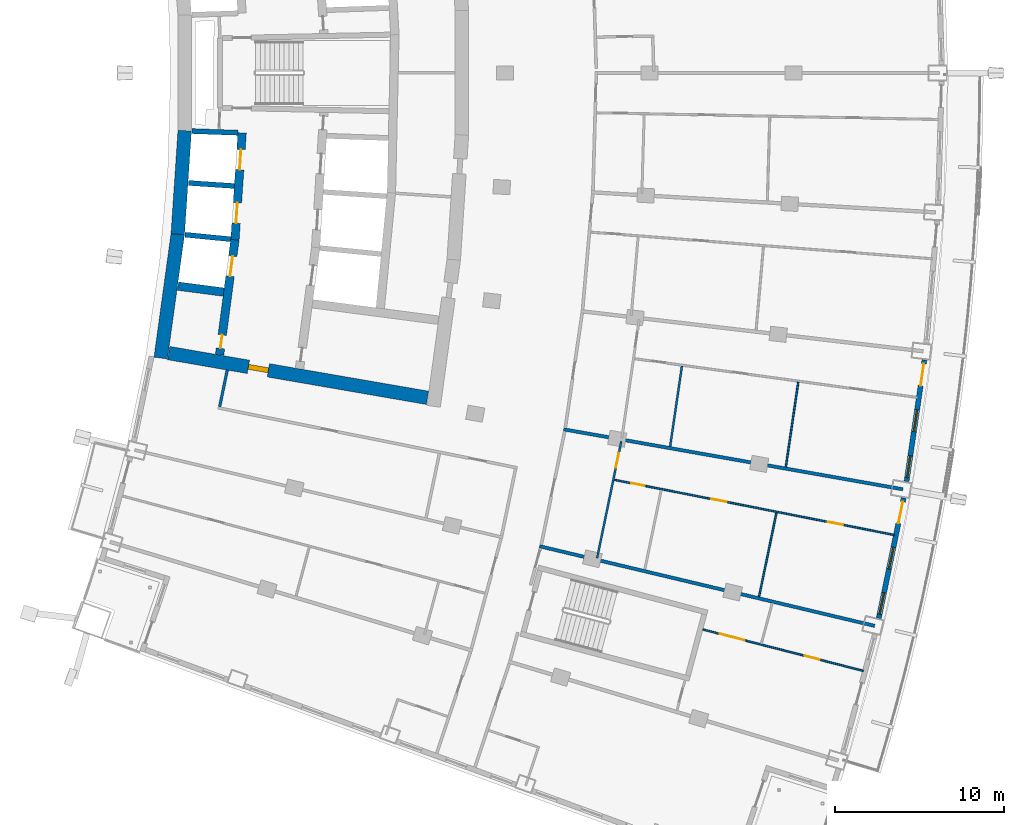
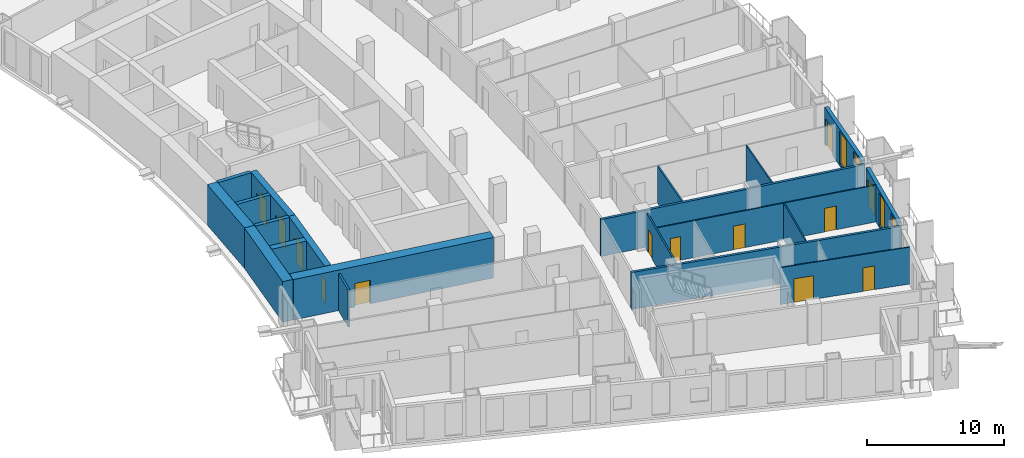
# One storey, part 12 of 23: 20 walls, 13 doors, 4 windows, 17 openings.
"""IFC4 building model written with IfcOpenShell, lengths in metres."""

import ifcopenshell
import ifcopenshell.guid

model = None  # the IFC model being written
_history = None  # IfcOwnerHistory: only IFC2X3 demands one
_inside = {}  # id of a spatial element -> (the spatial element, [elements in it])
_under = {}  # id of a project, library or spatial element -> (it, [spatial elements below it])
_declared = {}  # id of a project -> (the project, [libraries it declares])
_typed = {}  # id of a type object -> (the type object, [elements of that type])
_made_of = {}  # id of a material, layer set ... -> (it, [elements and type objects made of it])


def new_model(schema):
    """Start an empty IFC model of exactly this schema.

    Asked for "IFC4X3", IfcOpenShell would pick the latest addendum, in which some entities
    have other attributes; the version numbers below select the first issue.
    IFC2X3 requires an IfcOwnerHistory on every rooted entity: one is made here for all.
    """
    global model, _history
    if schema == "IFC4X3":
        model = ifcopenshell.file(schema_version=(4, 3, 0, 0))
    else:
        model = ifcopenshell.file(schema=schema)
    _inside.clear()
    _under.clear()
    _declared.clear()
    _typed.clear()
    _made_of.clear()
    _history = None
    if model.schema == "IFC2X3":
        org = make("IfcOrganization", Name="unknown")
        user = make(
            "IfcPersonAndOrganization",
            ThePerson=make("IfcPerson", FamilyName="unknown"),
            TheOrganization=org,
        )
        app = make(
            "IfcApplication",
            ApplicationDeveloper=org,
            Version="unknown",
            ApplicationFullName="unknown",
            ApplicationIdentifier="unknown",
        )
        _history = make(
            "IfcOwnerHistory",
            OwningUser=user,
            OwningApplication=app,
            ChangeAction="ADDED",
            CreationDate=0,
        )
    return model


def make(cls, **values):
    """One entity of the class cls with the attributes given. An attribute that is None is left unset."""
    return model.create_entity(
        cls, **{name: value for name, value in values.items() if value is not None}
    )


def rooted(cls, **values):
    """An entity with a GlobalId (a new one), such as an element, a storey or a relation."""
    return make(cls, GlobalId=ifcopenshell.guid.new(), OwnerHistory=_history, **values)


def si_unit(unit_type, name, prefix=None):
    """IfcSIUnit, for example si_unit("LENGTHUNIT", "METRE", prefix="MILLI")."""
    return make("IfcSIUnit", UnitType=unit_type, Prefix=prefix, Name=name)


def assignment(units):
    """IfcUnitAssignment: the units of a project."""
    return None if units is None else make("IfcUnitAssignment", Units=units)


def point(xyz):
    """IfcCartesianPoint."""
    return None if xyz is None else make("IfcCartesianPoint", Coordinates=xyz)


def direction(xyz):
    """IfcDirection."""
    return None if xyz is None else make("IfcDirection", DirectionRatios=xyz)


def frame(location, z_axis=None, x_axis=None):
    """IfcAxis2Placement3D, a coordinate frame: its origin and axes. An axis left out is left unset."""
    return make(
        "IfcAxis2Placement3D",
        Location=point(location),
        Axis=direction(z_axis),
        RefDirection=direction(x_axis),
    )


def frame_2d(location, x_axis=None):
    """IfcAxis2Placement2D, a coordinate frame in the plane: its origin and x axis."""
    return make(
        "IfcAxis2Placement2D", Location=point(location), RefDirection=direction(x_axis)
    )


def origin():
    """The frame at (0, 0, 0) with its axes left unset."""
    return frame((0.0, 0.0, 0.0))


def place(relative_to, where):
    """IfcLocalPlacement: puts the frame where relative to a parent placement (None: the world)."""
    return make(
        "IfcLocalPlacement", PlacementRelTo=relative_to, RelativePlacement=where
    )


def context(
    kind, dimensions, precision=None, world=None, true_north=None, identifier=None
):
    """IfcGeometricRepresentationContext, for example the 3D "Model" context."""
    return make(
        "IfcGeometricRepresentationContext",
        ContextIdentifier=identifier,
        ContextType=kind,
        CoordinateSpaceDimension=dimensions,
        Precision=precision,
        WorldCoordinateSystem=world,
        TrueNorth=true_north,
    )


def subcontext(parent, identifier, kind, view, scale=None):
    """IfcGeometricRepresentationSubContext, for example "Body" below "Model"."""
    return make(
        "IfcGeometricRepresentationSubContext",
        ContextIdentifier=identifier,
        ContextType=kind,
        ParentContext=parent,
        TargetScale=scale,
        TargetView=view,
    )


def project(units=None, contexts=None):
    """IfcProject with its units and contexts."""
    return rooted(
        "IfcProject",
        Name="project",
        RepresentationContexts=contexts,
        UnitsInContext=assignment(units),
    )


def spatial(cls, under=None, at=None, **own):
    """A site, building, storey or space (cls), placed at a placement, below another one or the project."""
    s = rooted(cls, ObjectPlacement=at, **own)
    if under is not None:
        _under.setdefault(under.id(), (under, []))[1].append(s)
    return s


def profile(cls, at=None, kind="AREA", **sizes):
    """A parametric profile (cls). Its sizes go by their IFC names, for example OverallWidth=200.0."""
    return make(cls, ProfileType=kind, Position=at, **sizes)


def rectangle(**sizes):
    """IfcRectangleProfileDef."""
    return profile("IfcRectangleProfileDef", **sizes)


def extrude(swept, where, along, depth):
    """IfcExtrudedAreaSolid: the profile swept, set in the frame where, extruded along a direction by depth."""
    return make(
        "IfcExtrudedAreaSolid",
        SweptArea=swept,
        Position=where,
        ExtrudedDirection=direction(along),
        Depth=depth,
    )


def shape(context_of_items, identifier, shape_type, items):
    """IfcShapeRepresentation: the items that make up one representation, for example the "Body"."""
    return make(
        "IfcShapeRepresentation",
        ContextOfItems=context_of_items,
        RepresentationIdentifier=identifier,
        RepresentationType=shape_type,
        Items=items,
    )


def material(Name=None, Category=None):
    """IfcMaterial."""
    return make("IfcMaterial", Name=Name, Category=Category)


def layer(
    of_material, thickness, ventilated=None, Name=None, Category=None, Priority=None
):
    """IfcMaterialLayer: one layer of a wall or slab, of a material (None: an air gap)."""
    return make(
        "IfcMaterialLayer",
        Material=of_material,
        LayerThickness=thickness,
        IsVentilated=ventilated,
        Name=Name,
        Category=Category,
        Priority=Priority,
    )


def layer_set(layers, Name=None):
    """IfcMaterialLayerSet."""
    return make("IfcMaterialLayerSet", MaterialLayers=layers, LayerSetName=Name)


def made_of(thing, what):
    """Note that an element or type object is made of a material, layer set ...; save() writes the relation."""
    if what is not None:
        _made_of.setdefault(what.id(), (what, []))[1].append(thing)
    return thing


def type_object(cls, material=None, **own):
    """A type object (cls), such as IfcWallType, which elements share."""
    return made_of(rooted(cls, **own), material)


def element(
    cls,
    number,
    at=None,
    inside=None,
    cuts=None,
    type_object=None,
    material=None,
    context=None,
    identifier="Body",
    shape_type=None,
    held_by="IfcProductDefinitionShape",
    body=None,
    shapes=None,
    **own,
):
    """One element of the class cls, such as IfcWall. Its Tag is "e" and its number.

    at: its placement. inside: the storey or other place that contains it. cuts: it is an
    opening in that element (IfcRelVoidsElement). A single representation is given by context,
    identifier, shape_type and body (its items); several are given by shapes. held_by: the class
    of the entity that holds the representations. save() writes the other relations.
    """
    e = rooted(cls, Tag="e%d" % number, ObjectPlacement=at, **own)
    if body is not None:
        shapes = [shape(context, identifier, shape_type, body)]
    if shapes is not None:
        e.Representation = make(held_by, Representations=shapes)
    if inside is not None:
        _inside.setdefault(inside.id(), (inside, []))[1].append(e)
    if cuts is not None:
        rooted(
            "IfcRelVoidsElement", RelatingBuildingElement=cuts, RelatedOpeningElement=e
        )
    if type_object is not None:
        _typed.setdefault(type_object.id(), (type_object, []))[1].append(e)
    return made_of(e, material)


def fill(opening, filler):
    """IfcRelFillsElement: the door or window that sits in an opening."""
    return rooted(
        "IfcRelFillsElement",
        RelatingOpeningElement=opening,
        RelatedBuildingElement=filler,
    )


def aggregate(whole, parts):
    """IfcRelAggregates: a whole, such as a stair, and the parts it consists of."""
    return rooted("IfcRelAggregates", RelatingObject=whole, RelatedObjects=parts)


def save(model, path):
    """Write the relations noted so far, then the file.

    IfcRelAggregates (storeys below a building ...), IfcRelContainedInSpatialStructure (elements
    in a storey), IfcRelDefinesByType, IfcRelAssociatesMaterial and IfcRelDeclares: one each for
    every whole, place, type object, material and project.
    """
    for whole, parts in _under.values():
        aggregate(whole, parts)
    for where, things in _inside.values():
        rooted(
            "IfcRelContainedInSpatialStructure",
            RelatedElements=things,
            RelatingStructure=where,
        )
    for kind, things in _typed.values():
        rooted("IfcRelDefinesByType", RelatedObjects=things, RelatingType=kind)
    for what, things in _made_of.values():
        rooted("IfcRelAssociatesMaterial", RelatedObjects=things, RelatingMaterial=what)
    for by, libraries in _declared.values():
        rooted("IfcRelDeclares", RelatingContext=by, RelatedDefinitions=libraries)
    model.write(path)


model = new_model("IFC4")

# Units and contexts
model_context = context("Model", 3, precision=1e-05, world=origin(), true_north=direction((0.0, 1.0)))
body_context = subcontext(model_context, "Body", "Model", "MODEL_VIEW")
ifc_project = project(units=[si_unit("LENGTHUNIT", "METRE"), si_unit("AREAUNIT", "SQUARE_METRE"), si_unit("VOLUMEUNIT", "CUBIC_METRE"), si_unit("PLANEANGLEUNIT", "RADIAN"), si_unit("MASSUNIT", "GRAM", prefix="KILO")], contexts=[model_context])

# Site, building, storey
site_placement = place(None, origin())
site = spatial("IfcSite", under=ifc_project, at=site_placement, CompositionType="ELEMENT")
building_placement = place(site_placement, origin())
building = spatial("IfcBuilding", under=site, at=building_placement, Name="Alderwake Tower", CompositionType="ELEMENT")
storey_placement = place(building_placement, frame((0.0, 0.0, 100.39990234375)))
storey = spatial("IfcBuildingStorey", under=building, at=storey_placement, Name="L24", CompositionType="ELEMENT", Elevation=100.39990234375)

# Walls
ifc_material_1 = material(Name="Concrete C70/85", Category="concrete")
ifc_layer_1 = layer(ifc_material_1, 0.800048828125)
ifc_layer_set_1 = layer_set([ifc_layer_1], Name="Core wall outer 800 C70-85")
wall_type_1 = type_object("IfcWallType", Name="Core wall outer 800 C70-85", PredefinedType="SHEAR", material=ifc_layer_set_1)
wall_1_placement = place(storey_placement, frame((15.419921875, 44.12890625, 0.0), z_axis=(0.0, 0.0, 1.0), x_axis=(0.13634256868, 0.990661750531, 0.0)))
element("IfcWall", 1, at=wall_1_placement, inside=storey, type_object=wall_type_1, Name="Core wall CW.042", PredefinedType="SHEAR", context=body_context, shape_type="SweptSolid", body=[
    extrude(rectangle(XDim=7.42578125, YDim=0.800048828125, at=frame_2d((3.712890625, 0.0))), origin(), (0.0, 0.0, 1.0), 3.60009765625),
])
wall_2_placement = place(storey_placement, frame((16.429443359375, 51.45654296875, 0.0), z_axis=(0.0, 0.0, 1.0), x_axis=(0.066885651624, 0.997760647454, 0.0)))
element("IfcWall", 2, at=wall_2_placement, inside=storey, type_object=wall_type_1, Name="Core wall CW.041", PredefinedType="SHEAR", context=body_context, shape_type="SweptSolid", body=[
    extrude(rectangle(XDim=6.14306640625, YDim=0.800048828125, at=frame_2d((3.071533203125, 0.0))), origin(), (0.0, 0.0, 1.0), 3.60009765625),
])

# Wall, opening, door
wall_3_placement = place(storey_placement, frame((31.20458984375, 41.776611328125, 0.0), z_axis=(0.0, 0.0, 1.0), x_axis=(-0.985386537175, 0.170333121719, 0.0)))
wall_3 = element("IfcWall", 3, at=wall_3_placement, inside=storey, type_object=wall_type_1, Name="Core wall CW.071", PredefinedType="SHEAR", context=body_context, shape_type="SweptSolid", body=[
    extrude(rectangle(XDim=15.537109375, YDim=0.800048828125, at=frame_2d((7.7685546875, 0.0))), origin(), (0.0, 0.0, 1.0), 3.60009765625),
])
opening_1_placement = place(wall_3_placement, frame((9.5537109375, 0.0, 0.0)))
opening_1 = element("IfcOpeningElement", 4, at=opening_1_placement, cuts=wall_3, Name="Opening C003", PredefinedType="OPENING", context=body_context, shape_type="SweptSolid", body=[
    extrude(rectangle(XDim=1.199951171875, YDim=2.10009765625, at=frame_2d((0.60009765625, 1.050048828125))), frame((0.0, 0.409912109375, 0.0), z_axis=(0.0, -1.0, 0.0), x_axis=(1.0, 0.0, 0.0)), (0.0, 0.0, 1.0), 0.820068359375),
])
ifc_material_2 = material(Name="Steel-framed fire door leaf", Category="steel")
door_type_1 = type_object("IfcDoorType", Name="Core lobby exit door 1200 fire-rated", OperationType="SINGLE_SWING_LEFT", PredefinedType="DOOR", material=ifc_material_2)
door_1_placement = place(opening_1_placement, origin())
door_1 = element("IfcDoor", 5, at=door_1_placement, inside=storey, type_object=door_type_1, Name="Lobby door", OperationType="SINGLE_SWING_LEFT", OverallHeight=2.10009765625, OverallWidth=1.199951171875, PredefinedType="DOOR", context=body_context, shape_type="SweptSolid", body=[
    extrude(rectangle(XDim=1.199951171875, YDim=2.10009765625, at=frame_2d((0.60009765625, 1.050048828125))), frame((0.0, 0.14990234375, 0.0), z_axis=(0.0, -1.0, 0.0), x_axis=(1.0, 0.0, 0.0)), (0.0, 0.0, 1.0), 0.300048828125),
])
fill(opening_1, door_1)

# Walls
ifc_material_3 = material(Name="Concrete C70/85", Category="concrete")
ifc_layer_2 = layer(ifc_material_3, 0.300048828125)
ifc_layer_set_2 = layer_set([ifc_layer_2], Name="Core wall shaft 300 C70-85")
wall_type_2 = type_object("IfcWallType", Name="Core wall shaft 300 C70-85", PredefinedType="SHEAR", material=ifc_layer_set_2)
wall_4_placement = place(storey_placement, frame((16.8583984375, 51.4287109375, 0.0), z_axis=(0.0, 0.0, 1.0), x_axis=(0.995157330456, -0.098294901394, 0.0)))
element("IfcWall", 6, at=wall_4_placement, inside=storey, type_object=wall_type_2, Name="Core wall CW.065", PredefinedType="SHEAR", context=body_context, shape_type="SweptSolid", body=[
    extrude(rectangle(XDim=2.7197265625, YDim=0.300048828125, at=frame_2d((1.35986328125, 0.0))), origin(), (0.0, 0.0, 1.0), 3.60009765625),
])
wall_5_placement = place(storey_placement, frame((17.06396484375, 54.492919921875, 0.0), z_axis=(0.0, 0.0, 1.0), x_axis=(0.997758851023, -0.066912444326, 0.0)))
element("IfcWall", 7, at=wall_5_placement, inside=storey, type_object=wall_type_2, Name="Core wall CW.079", PredefinedType="SHEAR", context=body_context, shape_type="SweptSolid", body=[
    extrude(rectangle(XDim=2.71826171875, YDim=0.300048828125, at=frame_2d((1.359130859375, 0.0))), origin(), (0.0, 0.0, 1.0), 3.60009765625),
])
wall_6_placement = place(storey_placement, frame((17.269287109375, 57.556884765625, 0.0), z_axis=(0.0, 0.0, 1.0), x_axis=(0.999374351644, -0.035368139275, 0.0)))
element("IfcWall", 8, at=wall_6_placement, inside=storey, type_object=wall_type_2, Name="Core wall CW.076", PredefinedType="SHEAR", context=body_context, shape_type="SweptSolid", body=[
    extrude(rectangle(XDim=2.7197265625, YDim=0.300048828125, at=frame_2d((1.35986328125, 0.0))), origin(), (0.0, 0.0, 1.0), 3.60009765625),
])

# Wall, openings, doors
ifc_material_4 = material(Name="Concrete C70/85", Category="concrete")
ifc_layer_3 = layer(ifc_material_4, 0.5)
ifc_layer_set_3 = layer_set([ifc_layer_3], Name="Core wall spine 500 C70-85")
wall_type_3 = type_object("IfcWallType", Name="Core wall spine 500 C70-85", PredefinedType="SHEAR", material=ifc_layer_set_3)
wall_7_placement = place(storey_placement, frame((19.81494140625, 51.145263671875, 0.0), z_axis=(0.0, 0.0, 1.0), x_axis=(-0.132349652161, -0.991203091991, 0.0)))
wall_7 = element("IfcWall", 9, at=wall_7_placement, inside=storey, type_object=wall_type_3, Name="Core wall CW.033", PredefinedType="SHEAR", context=body_context, shape_type="SweptSolid", body=[
    extrude(rectangle(XDim=6.880615234375, YDim=0.5, at=frame_2d((3.4404296875, 0.0))), origin(), (0.0, 0.0, 1.0), 3.60009765625),
])
opening_2_placement = place(wall_7_placement, frame((0.99072265625, 0.0, 0.0)))
opening_2 = element("IfcOpeningElement", 10, at=opening_2_placement, cuts=wall_7, Name="Opening LD-LP1", PredefinedType="OPENING", context=body_context, shape_type="SweptSolid", body=[
    extrude(rectangle(XDim=1.199951171875, YDim=2.300048828125, at=frame_2d((0.60009765625, 1.14990234375))), frame((0.0, 0.260009765625, 0.0), z_axis=(0.0, -1.0, 0.0), x_axis=(1.0, 0.0, 0.0)), (0.0, 0.0, 1.0), 0.52001953125),
])
opening_3_placement = place(wall_7_placement, frame((5.698486328125, 0.0, 0.0)))
opening_3 = element("IfcOpeningElement", 11, at=opening_3_placement, cuts=wall_7, Name="Opening C007", PredefinedType="OPENING", context=body_context, shape_type="SweptSolid", body=[
    extrude(rectangle(XDim=0.800048828125, YDim=2.0, at=frame_2d((0.39990234375, 1.0))), frame((0.0, 0.260009765625, 0.0), z_axis=(0.0, -1.0, 0.0), x_axis=(1.0, 0.0, 0.0)), (0.0, 0.0, 1.0), 0.52001953125),
])
ifc_material_5 = material(Name="Stainless steel sliding leaf", Category="steel")
door_type_2 = type_object("IfcDoorType", Name="Lift landing door 1200", OperationType="SLIDING_TO_LEFT", PredefinedType="DOOR", material=ifc_material_5)
door_2_placement = place(opening_2_placement, origin())
door_2 = element("IfcDoor", 12, at=door_2_placement, inside=storey, type_object=door_type_2, Name="Lift landing door LP1", OperationType="SLIDING_TO_LEFT", OverallHeight=2.300048828125, OverallWidth=1.199951171875, PredefinedType="DOOR", context=body_context, shape_type="SweptSolid", body=[
    extrude(rectangle(XDim=1.199951171875, YDim=2.300048828125, at=frame_2d((0.60009765625, 1.14990234375))), frame((0.0, 0.02490234375, 0.0), z_axis=(0.0, -1.0, 0.0), x_axis=(1.0, 0.0, 0.0)), (0.0, 0.0, 1.0), 0.050048828125),
])
fill(opening_2, door_2)
ifc_material_6 = material(Name="Painted steel leaf, rated", Category="steel")
door_type_3 = type_object("IfcDoorType", Name="Riser access door 800", OperationType="SINGLE_SWING_LEFT", PredefinedType="DOOR", material=ifc_material_6)
door_3_placement = place(opening_3_placement, origin())
door_3 = element("IfcDoor", 13, at=door_3_placement, inside=storey, type_object=door_type_3, Name="Riser access door", OperationType="SINGLE_SWING_LEFT", OverallHeight=2.0, OverallWidth=0.800048828125, PredefinedType="DOOR", context=body_context, shape_type="SweptSolid", body=[
    extrude(rectangle(XDim=0.800048828125, YDim=2.0, at=frame_2d((0.39990234375, 1.0))), frame((0.0, 0.02490234375, 0.0), z_axis=(0.0, -1.0, 0.0), x_axis=(1.0, 0.0, 0.0)), (0.0, 0.0, 1.0), 0.050048828125),
])
fill(opening_3, door_3)

wall_8_placement = place(storey_placement, frame((19.813232421875, 51.1279296875, 0.0), z_axis=(0.0, 0.0, 1.0), x_axis=(0.066907604831, 0.997759175561, 0.0)))
wall_8 = element("IfcWall", 14, at=wall_8_placement, inside=storey, type_object=wall_type_3, Name="Core wall CW.032", PredefinedType="SHEAR", context=body_context, shape_type="SweptSolid", body=[
    extrude(rectangle(XDim=6.338134765625, YDim=0.5, at=frame_2d((3.1689453125, 0.0))), origin(), (0.0, 0.0, 1.0), 3.60009765625),
])
opening_4_placement = place(wall_8_placement, frame((0.990966796875, 0.0, 0.0)))
opening_4 = element("IfcOpeningElement", 15, at=opening_4_placement, cuts=wall_8, Name="Opening LD-LP2", PredefinedType="OPENING", context=body_context, shape_type="SweptSolid", body=[
    extrude(rectangle(XDim=1.199951171875, YDim=2.300048828125, at=frame_2d((0.60009765625, 1.14990234375))), frame((0.0, 0.260009765625, 0.0), z_axis=(0.0, -1.0, 0.0), x_axis=(1.0, 0.0, 0.0)), (0.0, 0.0, 1.0), 0.52001953125),
])
opening_5_placement = place(wall_8_placement, frame((4.156005859375, 0.0, 0.0)))
opening_5 = element("IfcOpeningElement", 16, at=opening_5_placement, cuts=wall_8, Name="Opening LD-LP3", PredefinedType="OPENING", context=body_context, shape_type="SweptSolid", body=[
    extrude(rectangle(XDim=1.199951171875, YDim=2.300048828125, at=frame_2d((0.60009765625, 1.14990234375))), frame((0.0, 0.260009765625, 0.0), z_axis=(0.0, -1.0, 0.0), x_axis=(1.0, 0.0, 0.0)), (0.0, 0.0, 1.0), 0.52001953125),
])
door_4_placement = place(opening_4_placement, origin())
door_4 = element("IfcDoor", 17, at=door_4_placement, inside=storey, type_object=door_type_2, Name="Lift landing door LP2", OperationType="SLIDING_TO_LEFT", OverallHeight=2.300048828125, OverallWidth=1.199951171875, PredefinedType="DOOR", context=body_context, shape_type="SweptSolid", body=[
    extrude(rectangle(XDim=1.199951171875, YDim=2.300048828125, at=frame_2d((0.60009765625, 1.14990234375))), frame((0.0, 0.02490234375, 0.0), z_axis=(0.0, -1.0, 0.0), x_axis=(1.0, 0.0, 0.0)), (0.0, 0.0, 1.0), 0.050048828125),
])
fill(opening_4, door_4)
door_5_placement = place(opening_5_placement, origin())
door_5 = element("IfcDoor", 18, at=door_5_placement, inside=storey, type_object=door_type_2, Name="Lift landing door LP3", OperationType="SLIDING_TO_LEFT", OverallHeight=2.300048828125, OverallWidth=1.199951171875, PredefinedType="DOOR", context=body_context, shape_type="SweptSolid", body=[
    extrude(rectangle(XDim=1.199951171875, YDim=2.300048828125, at=frame_2d((0.60009765625, 1.14990234375))), frame((0.0, 0.02490234375, 0.0), z_axis=(0.0, -1.0, 0.0), x_axis=(1.0, 0.0, 0.0)), (0.0, 0.0, 1.0), 0.050048828125),
])
fill(opening_5, door_5)

# Walls
wall_9_placement = place(storey_placement, frame((16.43994140625, 48.38623046875, 0.0), z_axis=(0.0, 0.0, 1.0), x_axis=(0.991557472006, -0.129667959452, 0.0)))
element("IfcWall", 19, at=wall_9_placement, inside=storey, type_object=wall_type_3, Name="Core wall CW.067", PredefinedType="SHEAR", context=body_context, shape_type="SweptSolid", body=[
    extrude(rectangle(XDim=2.72998046875, YDim=0.5, at=frame_2d((1.364990234375, 0.0))), origin(), (0.0, 0.0, 1.0), 3.60009765625),
])
ifc_material_7 = material(Name="Gypsum board on metal studs, rated")
ifc_layer_4 = layer(ifc_material_7, 0.159912109375)
ifc_layer_set_4 = layer_set([ifc_layer_4], Name="Corridor wall 160")
wall_type_4 = type_object("IfcWallType", Name="Corridor wall 160", PredefinedType="PARTITIONING", material=ifc_layer_set_4)
wall_10_placement = place(storey_placement, frame((19.35888671875, 43.430908203125, 0.0), z_axis=(0.0, 0.0, 1.0), x_axis=(-0.202554916658, -0.979270905183, 0.0)))
element("IfcWall", 20, at=wall_10_placement, inside=storey, type_object=wall_type_4, Name="WL/L24/W22", PredefinedType="PARTITIONING", context=body_context, shape_type="SweptSolid", body=[
    extrude(rectangle(XDim=2.229736328125, YDim=0.159912109375, at=frame_2d((1.11474609375, 0.0))), origin(), (0.0, 0.0, 1.0), 3.280029296875),
])

# Wall, openings, door, windows
ifc_material_8 = material(Name="Precast concrete C50/60 spandrel panel", Category="concrete")
ifc_layer_5 = layer(ifc_material_8, 0.300048828125)
ifc_layer_set_5 = layer_set([ifc_layer_5], Name="External wall EW1 Precast concrete C50/60 spandrel")
wall_type_5 = type_object("IfcWallType", Name="External wall EW1 Precast concrete C50/60 spandrel", PredefinedType="SOLIDWALL", material=ifc_layer_set_5)
wall_11_placement = place(storey_placement, frame((57.91259765625, 28.73583984375, 0.0), z_axis=(0.0, 0.0, 1.0), x_axis=(0.20273007486, 0.979234658673, 0.0)))
wall_11 = element("IfcWall", 21, at=wall_11_placement, inside=storey, type_object=wall_type_5, Name="External wall 13", PredefinedType="SOLIDWALL", context=body_context, shape_type="SweptSolid", body=[
    extrude(rectangle(XDim=7.26416015625, YDim=0.300048828125, at=frame_2d((3.632080078125, 0.0))), origin(), (0.0, 0.0, 1.0), 3.280029296875),
])
opening_6_placement = place(wall_11_placement, frame((0.23291015625, 0.0, 0.199951171875)))
opening_6 = element("IfcOpeningElement", 22, at=opening_6_placement, cuts=wall_11, Name="Opening W1", PredefinedType="OPENING", context=body_context, shape_type="SweptSolid", body=[
    extrude(rectangle(XDim=1.300048828125, YDim=2.89990234375, at=frame_2d((0.64990234375, 1.449951171875))), frame((0.0, 0.159912109375, 0.0), z_axis=(0.0, -1.0, 0.0), x_axis=(1.0, 0.0, 0.0)), (0.0, 0.0, 1.0), 0.320068359375),
])
opening_7_placement = place(wall_11_placement, frame((2.98193359375, 0.0, 0.199951171875)))
opening_7 = element("IfcOpeningElement", 23, at=opening_7_placement, cuts=wall_11, Name="Opening W1", PredefinedType="OPENING", context=body_context, shape_type="SweptSolid", body=[
    extrude(rectangle(XDim=1.300048828125, YDim=2.89990234375, at=frame_2d((0.64990234375, 1.449951171875))), frame((0.0, 0.159912109375, 0.0), z_axis=(0.0, -1.0, 0.0), x_axis=(1.0, 0.0, 0.0)), (0.0, 0.0, 1.0), 0.320068359375),
])
opening_8_placement = place(wall_11_placement, frame((5.731201171875, 0.0, 0.0)))
opening_8 = element("IfcOpeningElement", 24, at=opening_8_placement, cuts=wall_11, Name="Opening D04", PredefinedType="OPENING", context=body_context, shape_type="SweptSolid", body=[
    extrude(rectangle(XDim=1.300048828125, YDim=2.39990234375, at=frame_2d((0.64990234375, 1.199951171875))), frame((0.0, 0.159912109375, 0.0), z_axis=(0.0, -1.0, 0.0), x_axis=(1.0, 0.0, 0.0)), (0.0, 0.0, 1.0), 0.320068359375),
])
ifc_material_9 = material(Name="Bronze tinted glass in aluminium frame", Category="aluminium")
door_type_4 = type_object("IfcDoorType", Name="Balcony door BD sliding", OperationType="SLIDING_TO_LEFT", PredefinedType="DOOR", material=ifc_material_9)
door_6_placement = place(opening_8_placement, origin())
door_6 = element("IfcDoor", 25, at=door_6_placement, inside=storey, type_object=door_type_4, Name="Door D04", OperationType="SLIDING_TO_LEFT", OverallHeight=2.39990234375, OverallWidth=1.300048828125, PredefinedType="DOOR", context=body_context, shape_type="SweptSolid", body=[
    extrude(rectangle(XDim=1.300048828125, YDim=2.39990234375, at=frame_2d((0.64990234375, 1.199951171875))), frame((0.0, 0.02490234375, 0.0), z_axis=(0.0, -1.0, 0.0), x_axis=(1.0, 0.0, 0.0)), (0.0, 0.0, 1.0), 0.050048828125),
])
fill(opening_8, door_6)
ifc_material_10 = material(Name="Bronze tinted glass in aluminium frame", Category="aluminium")
window_type = type_object("IfcWindowType", Name="Window W1 tall fixed and vent", PartitioningType="DOUBLE_PANEL_VERTICAL", PredefinedType="WINDOW", material=ifc_material_10)
window_1_placement = place(opening_6_placement, origin())
window_1 = element("IfcWindow", 26, at=window_1_placement, inside=storey, type_object=window_type, Name="Window W1 tall fixed and vent", OverallHeight=2.89990234375, OverallWidth=1.300048828125, PartitioningType="DOUBLE_PANEL_VERTICAL", PredefinedType="WINDOW", context=body_context, shape_type="SweptSolid", body=[
    extrude(rectangle(XDim=1.300048828125, YDim=2.89990234375, at=frame_2d((0.64990234375, 1.449951171875))), frame((0.0, 0.030029296875, 0.0), z_axis=(0.0, -1.0, 0.0), x_axis=(1.0, 0.0, 0.0)), (0.0, 0.0, 1.0), 0.06005859375),
])
fill(opening_6, window_1)
window_2_placement = place(opening_7_placement, origin())
window_2 = element("IfcWindow", 27, at=window_2_placement, inside=storey, type_object=window_type, Name="Window W1 tall fixed and vent", OverallHeight=2.89990234375, OverallWidth=1.300048828125, PartitioningType="DOUBLE_PANEL_VERTICAL", PredefinedType="WINDOW", context=body_context, shape_type="SweptSolid", body=[
    extrude(rectangle(XDim=1.300048828125, YDim=2.89990234375, at=frame_2d((0.64990234375, 1.449951171875))), frame((0.0, 0.030029296875, 0.0), z_axis=(0.0, -1.0, 0.0), x_axis=(1.0, 0.0, 0.0)), (0.0, 0.0, 1.0), 0.06005859375),
])
fill(opening_7, window_2)

wall_12_placement = place(storey_placement, frame((59.558837890625, 36.8310546875, 0.0), z_axis=(0.0, 0.0, 1.0), x_axis=(0.145325629986, 0.989383879629, 0.0)))
wall_12 = element("IfcWall", 28, at=wall_12_placement, inside=storey, type_object=wall_type_5, Name="External wall 14", PredefinedType="SOLIDWALL", context=body_context, shape_type="SweptSolid", body=[
    extrude(rectangle(XDim=7.26416015625, YDim=0.300048828125, at=frame_2d((3.632080078125, 0.0))), origin(), (0.0, 0.0, 1.0), 3.280029296875),
])
opening_9_placement = place(wall_12_placement, frame((0.23291015625, 0.0, 0.199951171875)))
opening_9 = element("IfcOpeningElement", 29, at=opening_9_placement, cuts=wall_12, Name="Opening W1", PredefinedType="OPENING", context=body_context, shape_type="SweptSolid", body=[
    extrude(rectangle(XDim=1.300048828125, YDim=2.89990234375, at=frame_2d((0.64990234375, 1.449951171875))), frame((0.0, 0.159912109375, 0.0), z_axis=(0.0, -1.0, 0.0), x_axis=(1.0, 0.0, 0.0)), (0.0, 0.0, 1.0), 0.320068359375),
])
opening_10_placement = place(wall_12_placement, frame((2.98193359375, 0.0, 0.199951171875)))
opening_10 = element("IfcOpeningElement", 30, at=opening_10_placement, cuts=wall_12, Name="Opening W1", PredefinedType="OPENING", context=body_context, shape_type="SweptSolid", body=[
    extrude(rectangle(XDim=1.300048828125, YDim=2.89990234375, at=frame_2d((0.64990234375, 1.449951171875))), frame((0.0, 0.159912109375, 0.0), z_axis=(0.0, -1.0, 0.0), x_axis=(1.0, 0.0, 0.0)), (0.0, 0.0, 1.0), 0.320068359375),
])
opening_11_placement = place(wall_12_placement, frame((5.731201171875, 0.0, 0.0)))
opening_11 = element("IfcOpeningElement", 31, at=opening_11_placement, cuts=wall_12, Name="Opening D05", PredefinedType="OPENING", context=body_context, shape_type="SweptSolid", body=[
    extrude(rectangle(XDim=1.300048828125, YDim=2.39990234375, at=frame_2d((0.64990234375, 1.199951171875))), frame((0.0, 0.159912109375, 0.0), z_axis=(0.0, -1.0, 0.0), x_axis=(1.0, 0.0, 0.0)), (0.0, 0.0, 1.0), 0.320068359375),
])
door_7_placement = place(opening_11_placement, origin())
door_7 = element("IfcDoor", 32, at=door_7_placement, inside=storey, type_object=door_type_4, Name="Door D05", OperationType="SLIDING_TO_LEFT", OverallHeight=2.39990234375, OverallWidth=1.300048828125, PredefinedType="DOOR", context=body_context, shape_type="SweptSolid", body=[
    extrude(rectangle(XDim=1.300048828125, YDim=2.39990234375, at=frame_2d((0.64990234375, 1.199951171875))), frame((0.0, 0.02490234375, 0.0), z_axis=(0.0, -1.0, 0.0), x_axis=(1.0, 0.0, 0.0)), (0.0, 0.0, 1.0), 0.050048828125),
])
fill(opening_11, door_7)
window_3_placement = place(opening_9_placement, origin())
window_3 = element("IfcWindow", 33, at=window_3_placement, inside=storey, type_object=window_type, Name="Window W1 tall fixed and vent", OverallHeight=2.89990234375, OverallWidth=1.300048828125, PartitioningType="DOUBLE_PANEL_VERTICAL", PredefinedType="WINDOW", context=body_context, shape_type="SweptSolid", body=[
    extrude(rectangle(XDim=1.300048828125, YDim=2.89990234375, at=frame_2d((0.64990234375, 1.449951171875))), frame((0.0, 0.030029296875, 0.0), z_axis=(0.0, -1.0, 0.0), x_axis=(1.0, 0.0, 0.0)), (0.0, 0.0, 1.0), 0.06005859375),
])
fill(opening_9, window_3)
window_4_placement = place(opening_10_placement, origin())
window_4 = element("IfcWindow", 34, at=window_4_placement, inside=storey, type_object=window_type, Name="Window W1 tall fixed and vent", OverallHeight=2.89990234375, OverallWidth=1.300048828125, PartitioningType="DOUBLE_PANEL_VERTICAL", PredefinedType="WINDOW", context=body_context, shape_type="SweptSolid", body=[
    extrude(rectangle(XDim=1.300048828125, YDim=2.89990234375, at=frame_2d((0.64990234375, 1.449951171875))), frame((0.0, 0.030029296875, 0.0), z_axis=(0.0, -1.0, 0.0), x_axis=(1.0, 0.0, 0.0)), (0.0, 0.0, 1.0), 0.06005859375),
])
fill(opening_10, window_4)

# Walls
ifc_material_11 = material(Name="Dense block masonry wall", Category="masonry")
ifc_layer_6 = layer(ifc_material_11, 0.199951171875)
ifc_layer_set_6 = layer_set([ifc_layer_6], Name="Party wall 200")
wall_type_6 = type_object("IfcWallType", Name="Party wall 200", PredefinedType="SOLIDWALL", material=ifc_layer_set_6)
wall_13_placement = place(storey_placement, frame((37.839111328125, 32.994384765625, 0.0), z_axis=(0.0, 0.0, 1.0), x_axis=(0.972887005839, -0.231280941433, 0.0)))
element("IfcWall", 35, at=wall_13_placement, inside=storey, type_object=wall_type_6, Name="WL/L24/W06", PredefinedType="SOLIDWALL", context=body_context, shape_type="SweptSolid", body=[
    extrude(rectangle(XDim=20.37939453125, YDim=0.199951171875, at=frame_2d((10.189697265625, 0.0))), origin(), (0.0, 0.0, 1.0), 3.280029296875),
])
wall_14_placement = place(storey_placement, frame((59.340087890625, 36.363037109375, 0.0), z_axis=(0.0, 0.0, 1.0), x_axis=(-0.984733595327, 0.174068222933, 0.0)))
element("IfcWall", 36, at=wall_14_placement, inside=storey, type_object=wall_type_6, Name="WL/L24/W10", PredefinedType="SOLIDWALL", context=body_context, shape_type="SweptSolid", body=[
    extrude(rectangle(XDim=20.382080078125, YDim=0.199951171875, at=frame_2d((10.19091796875, 0.0))), origin(), (0.0, 0.0, 1.0), 3.280029296875),
])

# Wall, openings, doors
ifc_material_12 = material(Name="Gypsum board on metal studs")
ifc_layer_7 = layer(ifc_material_12, 0.10009765625)
ifc_layer_set_7 = layer_set([ifc_layer_7], Name="Unit partition 100")
wall_type_7 = type_object("IfcWallType", Name="Unit partition 100", PredefinedType="PARTITIONING", material=ifc_layer_set_7)
wall_15_placement = place(storey_placement, frame((58.830078125, 33.659912109375, 0.0), z_axis=(0.0, 0.0, 1.0), x_axis=(-0.981161441013, 0.193189613255, 0.0)))
wall_15 = element("IfcWall", 37, at=wall_15_placement, inside=storey, type_object=wall_type_7, Name="WL/L24/W76", PredefinedType="PARTITIONING", context=body_context, shape_type="SweptSolid", body=[
    extrude(rectangle(XDim=16.88232421875, YDim=0.10009765625, at=frame_2d((8.441162109375, 0.0))), origin(), (0.0, 0.0, 1.0), 3.280029296875),
])
opening_12_placement = place(wall_15_placement, frame((10.119873046875, 0.0, 0.0)))
opening_12 = element("IfcOpeningElement", 38, at=opening_12_placement, cuts=wall_15, Name="Opening R06-U05.1", PredefinedType="OPENING", context=body_context, shape_type="SweptSolid", body=[
    extrude(rectangle(XDim=0.89990234375, YDim=2.10009765625, at=frame_2d((0.449951171875, 1.050048828125))), frame((0.0, 0.06005859375, 0.0), z_axis=(0.0, -1.0, 0.0), x_axis=(1.0, 0.0, 0.0)), (0.0, 0.0, 1.0), 0.1201171875),
])
opening_13_placement = place(wall_15_placement, frame((15.0634765625, 0.0, 0.0)))
opening_13 = element("IfcOpeningElement", 39, at=opening_13_placement, cuts=wall_15, Name="Opening R06-U05.4", PredefinedType="OPENING", context=body_context, shape_type="SweptSolid", body=[
    extrude(rectangle(XDim=0.800048828125, YDim=2.10009765625, at=frame_2d((0.39990234375, 1.050048828125))), frame((0.0, 0.06005859375, 0.0), z_axis=(0.0, -1.0, 0.0), x_axis=(1.0, 0.0, 0.0)), (0.0, 0.0, 1.0), 0.1201171875),
])
opening_14_placement = place(wall_15_placement, frame((3.097412109375, 0.0, 0.0)))
opening_14 = element("IfcOpeningElement", 40, at=opening_14_placement, cuts=wall_15, Name="Opening R06-U05.5", PredefinedType="OPENING", context=body_context, shape_type="SweptSolid", body=[
    extrude(rectangle(XDim=0.89990234375, YDim=2.10009765625, at=frame_2d((0.449951171875, 1.050048828125))), frame((0.0, 0.06005859375, 0.0), z_axis=(0.0, -1.0, 0.0), x_axis=(1.0, 0.0, 0.0)), (0.0, 0.0, 1.0), 0.1201171875),
])
ifc_material_13 = material(Name="Painted timber leaf", Category="wood")
door_type_5 = type_object("IfcDoorType", Name="Bathroom door 800", OperationType="SINGLE_SWING_LEFT", PredefinedType="DOOR", material=ifc_material_13)
door_8_placement = place(opening_13_placement, origin())
door_8 = element("IfcDoor", 41, at=door_8_placement, inside=storey, type_object=door_type_5, Name="DR/L24/U05.4", OperationType="SINGLE_SWING_LEFT", OverallHeight=2.10009765625, OverallWidth=0.800048828125, PredefinedType="DOOR", context=body_context, shape_type="SweptSolid", body=[
    extrude(rectangle(XDim=0.800048828125, YDim=2.10009765625, at=frame_2d((0.39990234375, 1.050048828125))), frame((0.0, 0.02490234375, 0.0), z_axis=(0.0, -1.0, 0.0), x_axis=(1.0, 0.0, 0.0)), (0.0, 0.0, 1.0), 0.050048828125),
])
fill(opening_13, door_8)
ifc_material_14 = material(Name="Painted timber leaf", Category="wood")
door_type_6 = type_object("IfcDoorType", Name="Room door 900", OperationType="SINGLE_SWING_LEFT", PredefinedType="DOOR", material=ifc_material_14)
door_9_placement = place(opening_12_placement, origin())
door_9 = element("IfcDoor", 42, at=door_9_placement, inside=storey, type_object=door_type_6, Name="DR/L24/U05.1", OperationType="SINGLE_SWING_LEFT", OverallHeight=2.10009765625, OverallWidth=0.89990234375, PredefinedType="DOOR", context=body_context, shape_type="SweptSolid", body=[
    extrude(rectangle(XDim=0.89990234375, YDim=2.10009765625, at=frame_2d((0.449951171875, 1.050048828125))), frame((0.0, 0.02490234375, 0.0), z_axis=(0.0, -1.0, 0.0), x_axis=(1.0, 0.0, 0.0)), (0.0, 0.0, 1.0), 0.050048828125),
])
fill(opening_12, door_9)
door_10_placement = place(opening_14_placement, origin())
door_10 = element("IfcDoor", 43, at=door_10_placement, inside=storey, type_object=door_type_6, Name="DR/L24/U05.5", OperationType="SINGLE_SWING_LEFT", OverallHeight=2.10009765625, OverallWidth=0.89990234375, PredefinedType="DOOR", context=body_context, shape_type="SweptSolid", body=[
    extrude(rectangle(XDim=0.89990234375, YDim=2.10009765625, at=frame_2d((0.449951171875, 1.050048828125))), frame((0.0, 0.02490234375, 0.0), z_axis=(0.0, -1.0, 0.0), x_axis=(1.0, 0.0, 0.0)), (0.0, 0.0, 1.0), 0.050048828125),
])
fill(opening_14, door_10)

wall_16_placement = place(storey_placement, frame((57.0, 25.614013671875, 0.0), z_axis=(0.0, 0.0, 1.0), x_axis=(-0.968222151935, 0.250091712181, 0.0)))
wall_16 = element("IfcWall", 44, at=wall_16_placement, inside=storey, type_object=wall_type_7, Name="WL/L24/W79", PredefinedType="PARTITIONING", context=body_context, shape_type="SweptSolid", body=[
    extrude(rectangle(XDim=9.812744140625, YDim=0.10009765625, at=frame_2d((4.90625, 0.0))), origin(), (0.0, 0.0, 1.0), 3.280029296875),
])
opening_15_placement = place(wall_16_placement, frame((7.28076171875, 0.0, 0.0)))
opening_15 = element("IfcOpeningElement", 45, at=opening_15_placement, cuts=wall_16, Name="Opening R06-U01.2", PredefinedType="OPENING", context=body_context, shape_type="SweptSolid", body=[
    extrude(rectangle(XDim=1.5, YDim=2.10009765625, at=frame_2d((0.75, 1.050048828125))), frame((0.0, 0.06005859375, 0.0), z_axis=(0.0, -1.0, 0.0), x_axis=(1.0, 0.0, 0.0)), (0.0, 0.0, 1.0), 0.1201171875),
])
opening_16_placement = place(wall_16_placement, frame((2.6748046875, 0.0, 0.0)))
opening_16 = element("IfcOpeningElement", 46, at=opening_16_placement, cuts=wall_16, Name="Opening R06-U01.3", PredefinedType="OPENING", context=body_context, shape_type="SweptSolid", body=[
    extrude(rectangle(XDim=0.89990234375, YDim=2.10009765625, at=frame_2d((0.449951171875, 1.050048828125))), frame((0.0, 0.06005859375, 0.0), z_axis=(0.0, -1.0, 0.0), x_axis=(1.0, 0.0, 0.0)), (0.0, 0.0, 1.0), 0.1201171875),
])
ifc_material_15 = material(Name="Painted timber leaves", Category="wood")
door_type_7 = type_object("IfcDoorType", Name="Double leaf door 1500", OperationType="DOUBLE_DOOR_SINGLE_SWING", PredefinedType="DOOR", material=ifc_material_15)
door_11_placement = place(opening_15_placement, origin())
door_11 = element("IfcDoor", 47, at=door_11_placement, inside=storey, type_object=door_type_7, Name="DR/L24/U01.2", OperationType="DOUBLE_DOOR_SINGLE_SWING", OverallHeight=2.10009765625, OverallWidth=1.5, PredefinedType="DOOR", context=body_context, shape_type="SweptSolid", body=[
    extrude(rectangle(XDim=1.5, YDim=2.10009765625, at=frame_2d((0.75, 1.050048828125))), frame((0.0, 0.02490234375, 0.0), z_axis=(0.0, -1.0, 0.0), x_axis=(1.0, 0.0, 0.0)), (0.0, 0.0, 1.0), 0.050048828125),
])
fill(opening_15, door_11)
door_12_placement = place(opening_16_placement, origin())
door_12 = element("IfcDoor", 48, at=door_12_placement, inside=storey, type_object=door_type_6, Name="DR/L24/U01.3", OperationType="SINGLE_SWING_LEFT", OverallHeight=2.10009765625, OverallWidth=0.89990234375, PredefinedType="DOOR", context=body_context, shape_type="SweptSolid", body=[
    extrude(rectangle(XDim=0.89990234375, YDim=2.10009765625, at=frame_2d((0.449951171875, 1.050048828125))), frame((0.0, 0.02490234375, 0.0), z_axis=(0.0, -1.0, 0.0), x_axis=(1.0, 0.0, 0.0)), (0.0, 0.0, 1.0), 0.050048828125),
])
fill(opening_16, door_12)

# Walls
wall_17_placement = place(storey_placement, frame((50.828369140625, 30.010986328125, 0.0), z_axis=(0.0, 0.0, 1.0), x_axis=(0.203176442594, 0.979142141456, 0.0)))
element("IfcWall", 49, at=wall_17_placement, inside=storey, type_object=wall_type_7, Name="WL/L24/W83", PredefinedType="PARTITIONING", context=body_context, shape_type="SweptSolid", body=[
    extrude(rectangle(XDim=5.076904296875, YDim=0.10009765625, at=frame_2d((2.53857421875, 0.0))), origin(), (0.0, 0.0, 1.0), 3.280029296875),
])
wall_18_placement = place(storey_placement, frame((52.41259765625, 37.68896484375, 0.0), z_axis=(0.0, 0.0, 1.0), x_axis=(0.14517004702, 0.989406719933, 0.0)))
element("IfcWall", 50, at=wall_18_placement, inside=storey, type_object=wall_type_7, Name="WL/L24/W87", PredefinedType="PARTITIONING", context=body_context, shape_type="SweptSolid", body=[
    extrude(rectangle(XDim=5.0771484375, YDim=0.10009765625, at=frame_2d((2.53857421875, 0.0))), origin(), (0.0, 0.0, 1.0), 3.280029296875),
])

# Wall, opening, door
ifc_material_16 = material(Name="Moisture resistant gypsum board on metal studs")
ifc_layer_8 = layer(ifc_material_16, 0.1201171875)
ifc_layer_set_8 = layer_set([ifc_layer_8], Name="Wet room partition 120")
wall_type_8 = type_object("IfcWallType", Name="Wet room partition 120", PredefinedType="PARTITIONING", material=ifc_layer_set_8)
wall_19_placement = place(storey_placement, frame((42.67578125, 39.2080078125, 0.0), z_axis=(0.0, 0.0, 1.0), x_axis=(-0.202695854643, -0.979241742631, 0.0)))
wall_19 = element("IfcWall", 51, at=wall_19_placement, inside=storey, type_object=wall_type_8, Name="WL/L24/W57", PredefinedType="PARTITIONING", context=body_context, shape_type="SweptSolid", body=[
    extrude(rectangle(XDim=7.066650390625, YDim=0.1201171875, at=frame_2d((3.533203125, 0.0))), origin(), (0.0, 0.0, 1.0), 3.280029296875),
])
opening_17_placement = place(wall_19_placement, frame((0.7109375, 0.0, 0.0)))
opening_17 = element("IfcOpeningElement", 52, at=opening_17_placement, cuts=wall_19, Name="Opening R06-U05.3", PredefinedType="OPENING", context=body_context, shape_type="SweptSolid", body=[
    extrude(rectangle(XDim=0.89990234375, YDim=2.10009765625, at=frame_2d((0.449951171875, 1.050048828125))), frame((0.0, 0.070068359375, 0.0), z_axis=(0.0, -1.0, 0.0), x_axis=(1.0, 0.0, 0.0)), (0.0, 0.0, 1.0), 0.14013671875),
])
door_13_placement = place(opening_17_placement, origin())
door_13 = element("IfcDoor", 53, at=door_13_placement, inside=storey, type_object=door_type_6, Name="DR/L24/U05.3", OperationType="SINGLE_SWING_LEFT", OverallHeight=2.10009765625, OverallWidth=0.89990234375, PredefinedType="DOOR", context=body_context, shape_type="SweptSolid", body=[
    extrude(rectangle(XDim=0.89990234375, YDim=2.10009765625, at=frame_2d((0.449951171875, 1.050048828125))), frame((0.0, 0.02490234375, 0.0), z_axis=(0.0, -1.0, 0.0), x_axis=(1.0, 0.0, 0.0)), (0.0, 0.0, 1.0), 0.050048828125),
])
fill(opening_17, door_13)

# Wall
wall_20_placement = place(storey_placement, frame((45.56640625, 38.90087890625, 0.0), z_axis=(0.0, 0.0, 1.0), x_axis=(0.145238137818, 0.989396726962, 0.0)))
element("IfcWall", 54, at=wall_20_placement, inside=storey, type_object=wall_type_8, Name="WL/L24/W65", PredefinedType="PARTITIONING", context=body_context, shape_type="SweptSolid", body=[
    extrude(rectangle(XDim=4.8076171875, YDim=0.1201171875, at=frame_2d((2.40380859375, 0.0))), origin(), (0.0, 0.0, 1.0), 3.280029296875),
])

save(model, "model.ifc")
